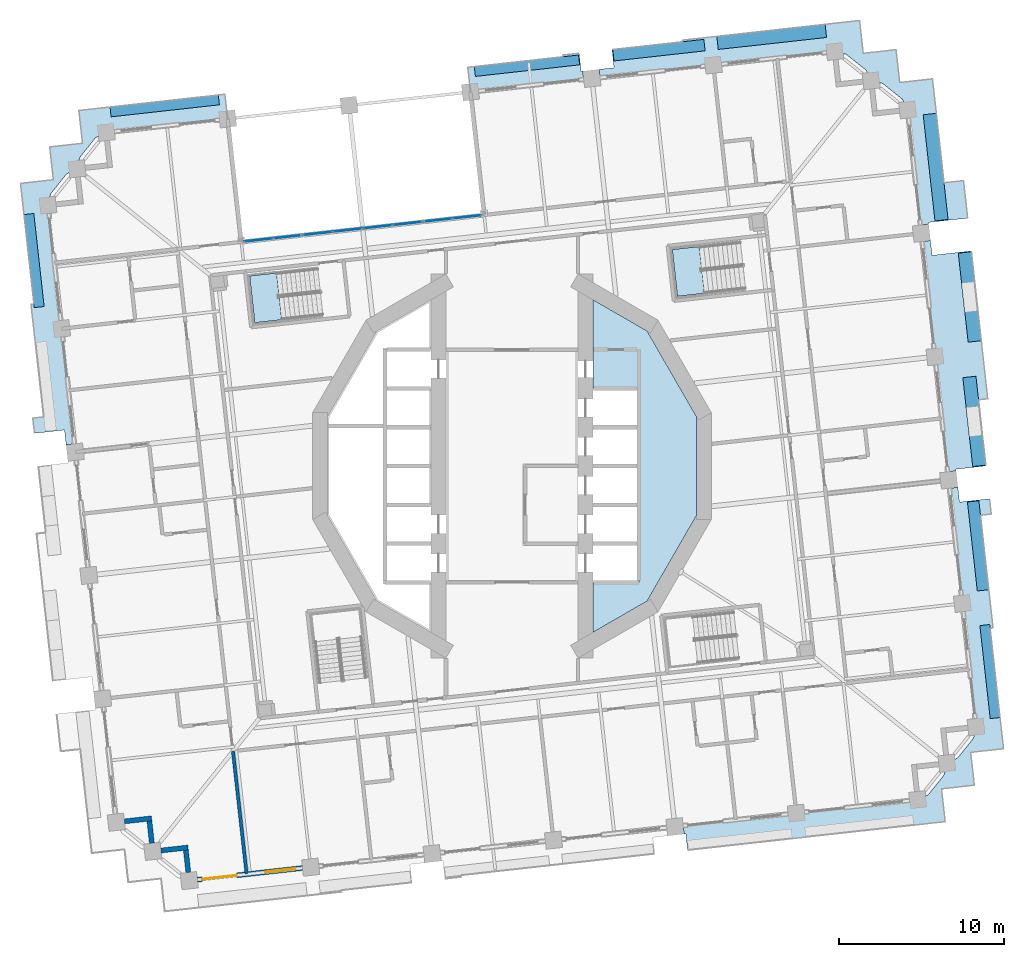
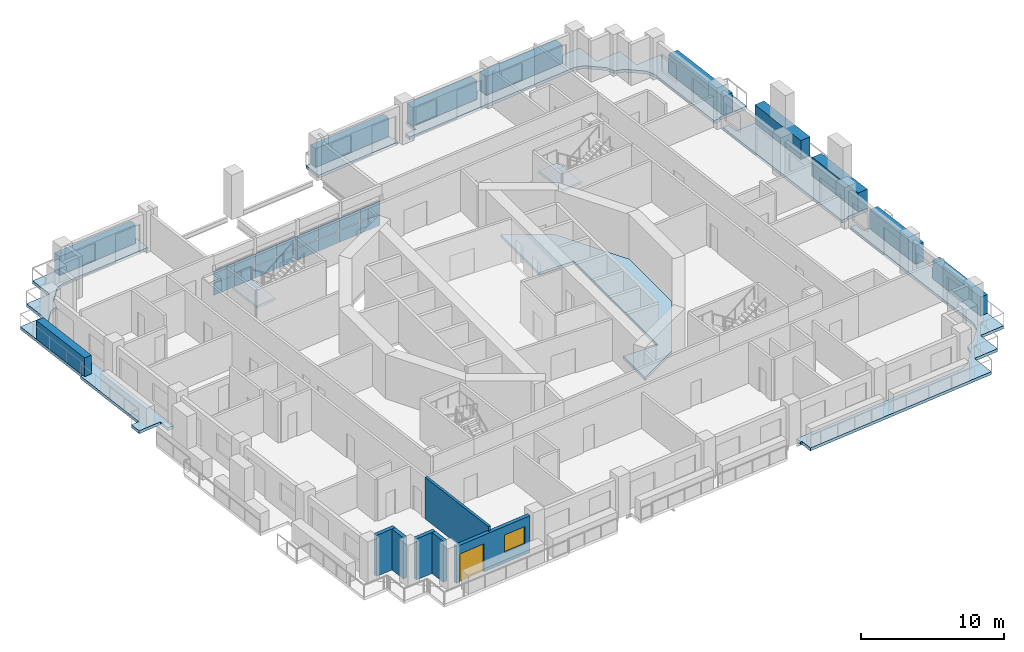
# One storey, part 6 of 21: 26 plates, 8 slabs, 6 walls, 1 door, 1 window, 2 openings, 3 elements without a shape of their own.
"""IFC4 building model written with IfcOpenShell, lengths in metres."""

from ifc_helpers import new_model, si_unit, direction, frame, frame_2d, origin, origin_2d, place, context, subcontext, project, spatial, polyline, rectangle, outline, extrude, material, layer, layer_set, type_object, element, fill, aggregate, save


model = new_model("IFC4")

# Units and contexts
model_context = context("Model", 3, precision=1e-05, world=origin(), true_north=direction((0.0, 1.0)))
body_context = subcontext(model_context, "Body", "Model", "MODEL_VIEW")
ifc_project = project(units=[si_unit("LENGTHUNIT", "METRE"), si_unit("AREAUNIT", "SQUARE_METRE"), si_unit("VOLUMEUNIT", "CUBIC_METRE"), si_unit("PLANEANGLEUNIT", "RADIAN"), si_unit("MASSUNIT", "GRAM", prefix="KILO")], contexts=[model_context])

# Site, building, storey
site_placement = place(None, origin())
site = spatial("IfcSite", under=ifc_project, at=site_placement, CompositionType="ELEMENT")
building_placement = place(site_placement, origin())
building = spatial("IfcBuilding", under=site, at=building_placement, Name="Cantera Rosa Tower", CompositionType="ELEMENT")
storey_placement = place(building_placement, frame((0.0, 0.0, 61.5)))
storey = spatial("IfcBuildingStorey", under=building, at=storey_placement, Name="L12", CompositionType="ELEMENT", Elevation=61.5)

# Slab
ifc_material_1 = material(Name="Concrete C35/45", Category="concrete")
ifc_layer_1 = layer(ifc_material_1, 0.25)
ifc_layer_set_1 = layer_set([ifc_layer_1], Name="COMPOSITE FLOOR SLAB 250 C35/45")
slab_type_1 = type_object("IfcSlabType", Name="COMPOSITE FLOOR SLAB 250 C35/45", PredefinedType="FLOOR", material=ifc_layer_set_1)
slab_1_placement = place(storey_placement, frame((0.0, 0.0, -0.25)))
element("IfcSlab", 1, at=slab_1_placement, inside=storey, type_object=slab_type_1, Name="SLAB L12 floor 3", PredefinedType="FLOOR", context=body_context, shape_type="SweptSolid", body=[
    extrude(outline(polyline([(7.699951171875, 0.0), (7.699951171875, 2.35009765625), (7.699951171875, 4.699951171875), (4.89990234375, 4.699951171875), (4.89990234375, 10.07373046875), (8.179931640625, 8.179931640625), (11.174072265625, 2.994140625), (11.174072265625, -2.994140625), (8.179931640625, -8.179931640625), (4.89990234375, -10.07373046875), (4.89990234375, -7.050048828125), (7.699951171875, -7.050048828125), (7.699951171875, -4.699951171875), (7.699951171875, -2.35009765625), (7.699951171875, 0.0)])), origin(), (0.0, 0.0, 1.0), 0.25),
])

# Curtain wall, plates
ifc_material_2 = material(Name="Aluminium frame with clear glass", Category="aluminium")
curtain_wall_type = type_object("IfcCurtainWallType", Name="CW1 TERRACE POCKET GLAZING", PredefinedType="NOTDEFINED", material=ifc_material_2)
curtain_wall_placement = place(storey_placement, origin())
curtain_wall = element("IfcCurtainWall", 2, at=curtain_wall_placement, inside=storey, type_object=curtain_wall_type, Name="CW1 CW1", PredefinedType="NOTDEFINED")
ifc_material_3 = material(Name="Aluminium frame with clear glass", Category="aluminium")
ifc_layer_2 = layer(ifc_material_3, 0.028076171875)
ifc_layer_set_2 = layer_set([ifc_layer_2], Name="CW-PANEL POCKET")
plate_type_1 = type_object("IfcPlateType", Name="CW-PANEL POCKET", PredefinedType="CURTAIN_PANEL", material=ifc_layer_set_2)
plate_1_placement = place(storey_placement, frame((-2.730712890625, 15.0908203125, 0.06005859375), z_axis=(0.0, 0.0, 1.0), x_axis=(-0.993896946413, -0.110312555543, 0.0)))
plate_1 = element("IfcPlate", 3, at=plate_1_placement, type_object=plate_type_1, Name="CW1 panel 1.1", PredefinedType="CURTAIN_PANEL", context=body_context, shape_type="SweptSolid", body=[
    extrude(rectangle(XDim=1.728759765625, YDim=0.028076171875, at=origin_2d()), origin(), (0.0, 0.0, 1.0), 1.0029296875),
])
plate_2_placement = place(storey_placement, frame((-2.730712890625, 15.0908203125, 1.123046875), z_axis=(0.0, 0.0, 1.0), x_axis=(-0.993896946413, -0.110312555543, 0.0)))
plate_2 = element("IfcPlate", 4, at=plate_2_placement, type_object=plate_type_1, Name="CW1 panel 1.2", PredefinedType="CURTAIN_PANEL", context=body_context, shape_type="SweptSolid", body=[
    extrude(rectangle(XDim=1.728759765625, YDim=0.028076171875, at=origin_2d()), origin(), (0.0, 0.0, 1.0), 1.0029296875),
])
plate_3_placement = place(storey_placement, frame((-4.5234375, 14.891845703125, 0.06005859375), z_axis=(0.0, 0.0, 1.0), x_axis=(-0.993896946413, -0.110312555543, 0.0)))
plate_3 = element("IfcPlate", 5, at=plate_3_placement, type_object=plate_type_1, Name="CW1 panel 2.1", PredefinedType="CURTAIN_PANEL", context=body_context, shape_type="SweptSolid", body=[
    extrude(rectangle(XDim=1.7587890625, YDim=0.028076171875, at=origin_2d()), origin(), (0.0, 0.0, 1.0), 1.0029296875),
])
plate_4_placement = place(storey_placement, frame((-4.5234375, 14.891845703125, 1.123046875), z_axis=(0.0, 0.0, 1.0), x_axis=(-0.993896946413, -0.110312555543, 0.0)))
plate_4 = element("IfcPlate", 6, at=plate_4_placement, type_object=plate_type_1, Name="CW1 panel 2.2", PredefinedType="CURTAIN_PANEL", context=body_context, shape_type="SweptSolid", body=[
    extrude(rectangle(XDim=1.7587890625, YDim=0.028076171875, at=origin_2d()), origin(), (0.0, 0.0, 1.0), 1.0029296875),
])
plate_5_placement = place(storey_placement, frame((-6.3310546875, 14.691162109375, 0.06005859375), z_axis=(0.0, 0.0, 1.0), x_axis=(-0.993896946413, -0.110312555543, 0.0)))
plate_5 = element("IfcPlate", 7, at=plate_5_placement, type_object=plate_type_1, Name="CW1 panel 3.1", PredefinedType="CURTAIN_PANEL", context=body_context, shape_type="SweptSolid", body=[
    extrude(rectangle(XDim=1.7587890625, YDim=0.028076171875, at=origin_2d()), origin(), (0.0, 0.0, 1.0), 1.0029296875),
])
plate_6_placement = place(storey_placement, frame((-6.3310546875, 14.691162109375, 1.123046875), z_axis=(0.0, 0.0, 1.0), x_axis=(-0.993896946413, -0.110312555543, 0.0)))
plate_6 = element("IfcPlate", 8, at=plate_6_placement, type_object=plate_type_1, Name="CW1 panel 3.2", PredefinedType="CURTAIN_PANEL", context=body_context, shape_type="SweptSolid", body=[
    extrude(rectangle(XDim=1.7587890625, YDim=0.028076171875, at=origin_2d()), origin(), (0.0, 0.0, 1.0), 1.0029296875),
])
plate_7_placement = place(storey_placement, frame((-8.138916015625, 14.49072265625, 0.06005859375), z_axis=(0.0, 0.0, 1.0), x_axis=(-0.993896946413, -0.110312555543, 0.0)))
plate_7 = element("IfcPlate", 9, at=plate_7_placement, type_object=plate_type_1, Name="CW1 panel 4.1", PredefinedType="CURTAIN_PANEL", context=body_context, shape_type="SweptSolid", body=[
    extrude(rectangle(XDim=1.7587890625, YDim=0.028076171875, at=origin_2d()), origin(), (0.0, 0.0, 1.0), 1.0029296875),
])
plate_8_placement = place(storey_placement, frame((-8.138916015625, 14.49072265625, 1.123046875), z_axis=(0.0, 0.0, 1.0), x_axis=(-0.993896946413, -0.110312555543, 0.0)))
plate_8 = element("IfcPlate", 10, at=plate_8_placement, type_object=plate_type_1, Name="CW1 panel 4.2", PredefinedType="CURTAIN_PANEL", context=body_context, shape_type="SweptSolid", body=[
    extrude(rectangle(XDim=1.7587890625, YDim=0.028076171875, at=origin_2d()), origin(), (0.0, 0.0, 1.0), 1.0029296875),
])
plate_9_placement = place(storey_placement, frame((-9.946533203125, 14.2900390625, 0.06005859375), z_axis=(0.0, 0.0, 1.0), x_axis=(-0.993896946413, -0.110312555543, 0.0)))
plate_9 = element("IfcPlate", 11, at=plate_9_placement, type_object=plate_type_1, Name="CW1 panel 5.1", PredefinedType="CURTAIN_PANEL", context=body_context, shape_type="SweptSolid", body=[
    extrude(rectangle(XDim=1.7587890625, YDim=0.028076171875, at=origin_2d()), origin(), (0.0, 0.0, 1.0), 1.0029296875),
])
plate_10_placement = place(storey_placement, frame((-9.946533203125, 14.2900390625, 1.123046875), z_axis=(0.0, 0.0, 1.0), x_axis=(-0.993896946413, -0.110312555543, 0.0)))
plate_10 = element("IfcPlate", 12, at=plate_10_placement, type_object=plate_type_1, Name="CW1 panel 5.2", PredefinedType="CURTAIN_PANEL", context=body_context, shape_type="SweptSolid", body=[
    extrude(rectangle(XDim=1.7587890625, YDim=0.028076171875, at=origin_2d()), origin(), (0.0, 0.0, 1.0), 1.0029296875),
])
plate_11_placement = place(storey_placement, frame((-11.754150390625, 14.08935546875, 0.06005859375), z_axis=(0.0, 0.0, 1.0), x_axis=(-0.993896946413, -0.110312555543, 0.0)))
plate_11 = element("IfcPlate", 13, at=plate_11_placement, type_object=plate_type_1, Name="CW1 panel 6.1", PredefinedType="CURTAIN_PANEL", context=body_context, shape_type="SweptSolid", body=[
    extrude(rectangle(XDim=1.7587890625, YDim=0.028076171875, at=origin_2d()), origin(), (0.0, 0.0, 1.0), 1.0029296875),
])
plate_12_placement = place(storey_placement, frame((-11.754150390625, 14.08935546875, 1.123046875), z_axis=(0.0, 0.0, 1.0), x_axis=(-0.993896946413, -0.110312555543, 0.0)))
plate_12 = element("IfcPlate", 14, at=plate_12_placement, type_object=plate_type_1, Name="CW1 panel 6.2", PredefinedType="CURTAIN_PANEL", context=body_context, shape_type="SweptSolid", body=[
    extrude(rectangle(XDim=1.7587890625, YDim=0.028076171875, at=origin_2d()), origin(), (0.0, 0.0, 1.0), 1.0029296875),
])
plate_13_placement = place(storey_placement, frame((-13.561767578125, 13.888671875, 0.06005859375), z_axis=(0.0, 0.0, 1.0), x_axis=(-0.993896946413, -0.110312555543, 0.0)))
plate_13 = element("IfcPlate", 15, at=plate_13_placement, type_object=plate_type_1, Name="CW1 panel 7.1", PredefinedType="CURTAIN_PANEL", context=body_context, shape_type="SweptSolid", body=[
    extrude(rectangle(XDim=1.7587890625, YDim=0.028076171875, at=origin_2d()), origin(), (0.0, 0.0, 1.0), 1.0029296875),
])
plate_14_placement = place(storey_placement, frame((-13.561767578125, 13.888671875, 1.123046875), z_axis=(0.0, 0.0, 1.0), x_axis=(-0.993896946413, -0.110312555543, 0.0)))
plate_14 = element("IfcPlate", 16, at=plate_14_placement, type_object=plate_type_1, Name="CW1 panel 7.2", PredefinedType="CURTAIN_PANEL", context=body_context, shape_type="SweptSolid", body=[
    extrude(rectangle(XDim=1.7587890625, YDim=0.028076171875, at=origin_2d()), origin(), (0.0, 0.0, 1.0), 1.0029296875),
])
plate_15_placement = place(storey_placement, frame((-15.3544921875, 13.689697265625, 0.06005859375), z_axis=(0.0, 0.0, 1.0), x_axis=(-0.993896946413, -0.110312555543, 0.0)))
plate_15 = element("IfcPlate", 17, at=plate_15_placement, type_object=plate_type_1, Name="CW1 panel 8.1", PredefinedType="CURTAIN_PANEL", context=body_context, shape_type="SweptSolid", body=[
    extrude(rectangle(XDim=1.728759765625, YDim=0.028076171875, at=origin_2d()), origin(), (0.0, 0.0, 1.0), 1.0029296875),
])
plate_16_placement = place(storey_placement, frame((-15.3544921875, 13.689697265625, 1.123046875), z_axis=(0.0, 0.0, 1.0), x_axis=(-0.993896946413, -0.110312555543, 0.0)))
plate_16 = element("IfcPlate", 18, at=plate_16_placement, type_object=plate_type_1, Name="CW1 panel 8.2", PredefinedType="CURTAIN_PANEL", context=body_context, shape_type="SweptSolid", body=[
    extrude(rectangle(XDim=1.728759765625, YDim=0.028076171875, at=origin_2d()), origin(), (0.0, 0.0, 1.0), 1.0029296875),
])
aggregate(curtain_wall, [plate_1, plate_2, plate_3, plate_4, plate_5, plate_6, plate_7, plate_8, plate_9, plate_10, plate_11, plate_12, plate_13, plate_14, plate_15, plate_16])

# Slabs
ifc_material_4 = material(Name="Concrete C35/45", Category="concrete")
ifc_layer_3 = layer(ifc_material_4, 0.25)
ifc_layer_set_3 = layer_set([ifc_layer_3], Name="LOGGIA SLAB 250 C35/45")
slab_type_2 = type_object("IfcSlabType", Name="LOGGIA SLAB 250 C35/45", PredefinedType="FLOOR", material=ifc_layer_set_3)
slab_2_placement = place(storey_placement, frame((0.0, 0.0, -0.25)))
element("IfcSlab", 19, at=slab_2_placement, inside=storey, type_object=slab_type_2, Name="LOGGIA SLAB L12 2", PredefinedType="FLOOR", context=body_context, shape_type="SweptSolid", body=[
    extrude(outline(polyline([(-29.134765625, 9.801513671875), (-28.960205078125, 9.821044921875), (-29.604736328125, 15.629638671875), (-29.770263671875, 17.12060546875), (-28.279296875, 17.285888671875), (-27.782470703125, 17.341064453125), (-27.837646484375, 17.837890625), (-28.003173828125, 19.328857421875), (-26.51220703125, 19.494384765625), (-26.015380859375, 19.549560546875), (-26.070556640625, 20.04638671875), (-26.236083984375, 21.537353515625), (-24.7451171875, 21.702880859375), (-18.881103515625, 22.353515625), (-17.390380859375, 22.51904296875), (-17.224853515625, 21.0283203125), (-24.57958984375, 20.2119140625), (-25.166015625, 19.922607421875), (-25.191162109375, 19.9072265625), (-25.214599609375, 19.889404296875), (-25.236083984375, 19.869384765625), (-25.255615234375, 19.84716796875), (-26.139404296875, 18.742919921875), (-26.156494140625, 18.71923828125), (-26.17138671875, 18.693603515625), (-26.18359375, 18.6669921875), (-26.193115234375, 18.63916015625), (-26.3466796875, 18.00341796875), (-26.933349609375, 17.714111328125), (-26.958251953125, 17.69873046875), (-26.981689453125, 17.680908203125), (-27.00341796875, 17.660888671875), (-27.022705078125, 17.638916015625), (-27.906494140625, 16.53466796875), (-27.923583984375, 16.5107421875), (-27.9384765625, 16.4853515625), (-27.95068359375, 16.45849609375), (-27.960205078125, 16.4306640625), (-28.114013671875, 15.795166015625), (-26.510009765625, 1.34375), (-27.007080078125, 1.288818359375), (-27.106201171875, 2.18310546875), (-28.926025390625, 1.981201171875), (-29.02880859375, 2.906494140625), (-28.37744140625, 2.978759765625), (-29.134765625, 9.801513671875)])), origin(), (0.0, 0.0, 1.0), 0.25),
])
slab_3_placement = place(storey_placement, frame((0.0, 0.0, -0.25)))
element("IfcSlab", 20, at=slab_3_placement, inside=storey, type_object=slab_type_2, Name="LOGGIA SLAB L12 4", PredefinedType="FLOOR", context=body_context, shape_type="SweptSolid", body=[
    extrude(outline(polyline([(3.080078125, 24.791015625), (3.068603515625, 24.894287109375), (4.06640625, 25.005126953125), (4.188232421875, 23.907958984375), (4.28759765625, 23.9189453125), (4.3427734375, 23.422119140625), (-2.51513671875, 22.660888671875), (-2.6806640625, 24.151611328125), (-1.189697265625, 24.317138671875), (3.080078125, 24.791015625)])), origin(), (0.0, 0.0, 1.0), 0.25),
])
slab_4_placement = place(storey_placement, frame((0.0, 0.0, -0.25)))
element("IfcSlab", 21, at=slab_4_placement, inside=storey, type_object=slab_type_2, Name="LOGGIA SLAB L12 6", PredefinedType="FLOOR", context=body_context, shape_type="SweptSolid", body=[
    extrude(outline(polyline([(19.36181640625, 26.79931640625), (21.051513671875, 26.98681640625), (21.239013671875, 25.29736328125), (21.272216796875, 24.999267578125), (21.5703125, 25.0322265625), (23.260009765625, 25.2197265625), (23.447509765625, 23.5302734375), (23.48046875, 23.23193359375), (23.77880859375, 23.26513671875), (25.46826171875, 23.45263671875), (25.65576171875, 21.762939453125), (26.1669921875, 17.15869140625), (27.34716796875, 17.289794921875), (27.599609375, 15.01611328125), (25.2265625, 14.752685546875), (25.237548828125, 14.653564453125), (24.740478515625, 14.598388671875), (23.96630859375, 21.575439453125), (23.677001953125, 22.161865234375), (23.66162109375, 22.18701171875), (23.643798828125, 22.21044921875), (23.62353515625, 22.23193359375), (23.6015625, 22.25146484375), (22.497314453125, 23.135009765625), (22.473388671875, 23.15234375), (22.447998046875, 23.1669921875), (22.42138671875, 23.179443359375), (22.393310546875, 23.18896484375), (21.7578125, 23.342529296875), (21.468505859375, 23.92919921875), (21.453125, 23.9541015625), (21.435302734375, 23.9775390625), (21.415283203125, 23.999267578125), (21.39306640625, 24.018798828125), (20.288818359375, 24.902099609375), (20.26513671875, 24.91943359375), (20.239501953125, 24.934326171875), (20.212890625, 24.946533203125), (20.18505859375, 24.9560546875), (19.54931640625, 25.10986328125), (18.642578125, 25.00927734375), (5.336669921875, 23.5322265625), (5.281494140625, 24.029296875), (6.176025390625, 24.12841796875), (6.05419921875, 25.2255859375), (10.327880859375, 25.699951171875), (10.3173828125, 25.795654296875), (19.36181640625, 26.79931640625)])), origin(), (0.0, 0.0, 1.0), 0.25),
])
slab_5_placement = place(storey_placement, frame((0.0, 0.0, -0.25)))
element("IfcSlab", 22, at=slab_5_placement, inside=storey, type_object=slab_type_2, Name="LOGGIA SLAB L12 7", PredefinedType="FLOOR", context=body_context, shape_type="SweptSolid", body=[
    extrude(outline(polyline([(29.134765625, -9.801513671875), (28.960205078125, -9.821044921875), (29.604736328125, -15.629638671875), (29.770263671875, -17.12060546875), (28.279296875, -17.285888671875), (27.782470703125, -17.341064453125), (27.837646484375, -17.837890625), (28.003173828125, -19.328857421875), (26.51220703125, -19.494384765625), (26.015380859375, -19.549560546875), (26.070556640625, -20.04638671875), (26.236083984375, -21.537353515625), (24.7451171875, -21.702880859375), (18.881103515625, -22.353515625), (15.8994140625, -22.6845703125), (11.5263671875, -23.169921875), (10.6318359375, -23.269287109375), (10.521484375, -22.275390625), (10.422119140625, -22.286376953125), (10.366943359375, -21.789306640625), (24.57958984375, -20.2119140625), (25.166015625, -19.922607421875), (25.191162109375, -19.9072265625), (25.214599609375, -19.889404296875), (25.236083984375, -19.869384765625), (25.255615234375, -19.84716796875), (26.139404296875, -18.742919921875), (26.156494140625, -18.71923828125), (26.17138671875, -18.693603515625), (26.18359375, -18.6669921875), (26.193115234375, -18.63916015625), (26.3466796875, -18.00341796875), (26.933349609375, -17.714111328125), (26.958251953125, -17.69873046875), (26.981689453125, -17.680908203125), (27.00341796875, -17.660888671875), (27.022705078125, -17.638916015625), (27.906494140625, -16.53466796875), (27.923583984375, -16.5107421875), (27.9384765625, -16.4853515625), (27.95068359375, -16.45849609375), (27.960205078125, -16.4306640625), (28.114013671875, -15.795166015625), (26.510009765625, -1.34375), (27.007080078125, -1.288818359375), (27.106201171875, -2.18310546875), (28.926025390625, -1.981201171875), (29.02880859375, -2.906494140625), (28.37744140625, -2.978759765625), (29.134765625, -9.801513671875)])), origin(), (0.0, 0.0, 1.0), 0.25),
])
slab_6_placement = place(storey_placement, frame((0.0, 0.0, -0.25)))
element("IfcSlab", 23, at=slab_6_placement, inside=storey, type_object=slab_type_2, Name="LOGGIA SLAB L12 8", PredefinedType="FLOOR", context=body_context, shape_type="SweptSolid", body=[
    extrude(outline(polyline([(28.705322265625, 0.006591796875), (26.885498046875, -0.1953125), (26.896728515625, -0.294921875), (26.399658203125, -0.349853515625), (24.850830078125, 13.6044921875), (25.347900390625, 13.65966796875), (25.447265625, 12.764892578125), (27.8203125, 13.0283203125), (28.813720703125, 4.07568359375), (28.260498046875, 4.014404296875), (28.705322265625, 0.006591796875)])), origin(), (0.0, 0.0, 1.0), 0.25),
])

# Plates
ifc_material_5 = material(Name="Cantera stone planter with soil", Category="masonry")
plate_type_2 = type_object("IfcPlateType", Name="PLANTER 600", PredefinedType="USERDEFINED", material=ifc_material_5)
plate_17_placement = place(storey_placement, frame((28.94970703125, -12.447509765625, 0.0), z_axis=(0.0, 0.0, 1.0), x_axis=(-0.110312555526, 0.993896946415, 0.0)))
element("IfcPlate", 24, at=plate_17_placement, inside=storey, type_object=plate_type_2, Name="PLANTER L12-01", ObjectType="PLANTER", PredefinedType="USERDEFINED", context=body_context, shape_type="SweptSolid", body=[
    extrude(rectangle(XDim=5.669921875, YDim=0.60009765625, at=origin_2d()), origin(), (0.0, 0.0, 1.0), 1.60009765625),
])
plate_18_placement = place(storey_placement, frame((0.90576171875, 24.247802734375, 0.0), z_axis=(0.0, 0.0, 1.0), x_axis=(-0.993896946415, -0.110312555526, 0.0)))
element("IfcPlate", 25, at=plate_18_placement, inside=storey, type_object=plate_type_2, Name="PLANTER L12-08", ObjectType="PLANTER", PredefinedType="USERDEFINED", context=body_context, shape_type="SweptSolid", body=[
    extrude(rectangle(XDim=6.35009765625, YDim=0.60009765625, at=origin_2d()), origin(), (0.0, 0.0, 1.0), 1.60009765625),
])
plate_19_placement = place(storey_placement, frame((-21.03466796875, 21.812744140625, 0.0), z_axis=(0.0, 0.0, 1.0), x_axis=(-0.993896946415, -0.110312555526, 0.0)))
element("IfcPlate", 26, at=plate_19_placement, inside=storey, type_object=plate_type_2, Name="PLANTER L12-11", ObjectType="PLANTER", PredefinedType="USERDEFINED", context=body_context, shape_type="SweptSolid", body=[
    extrude(rectangle(XDim=6.60009765625, YDim=0.60009765625, at=origin_2d()), origin(), (0.0, 0.0, 1.0), 1.60009765625),
])
plate_20_placement = place(storey_placement, frame((-28.94970703125, 12.447509765625, 0.0), z_axis=(0.0, 0.0, 1.0), x_axis=(0.110312555526, -0.993896946415, 0.0)))
element("IfcPlate", 27, at=plate_20_placement, inside=storey, type_object=plate_type_2, Name="PLANTER L12-12", ObjectType="PLANTER", PredefinedType="USERDEFINED", context=body_context, shape_type="SweptSolid", body=[
    extrude(rectangle(XDim=5.669921875, YDim=0.60009765625, at=origin_2d()), origin(), (0.0, 0.0, 1.0), 1.60009765625),
])
ifc_material_6 = material(Name="Cantera stone planter with soil", Category="masonry")
plate_type_3 = type_object("IfcPlateType", Name="PLANTER 700", PredefinedType="USERDEFINED", material=ifc_material_6)
plate_21_placement = place(storey_placement, frame((28.2314453125, -4.835205078125, 0.0), z_axis=(0.0, 0.0, 1.0), x_axis=(-0.110312555526, 0.993896946415, 0.0)))
element("IfcPlate", 28, at=plate_21_placement, inside=storey, type_object=plate_type_3, Name="PLANTER L12-02", ObjectType="PLANTER", PredefinedType="USERDEFINED", context=body_context, shape_type="SweptSolid", body=[
    extrude(rectangle(XDim=5.419921875, YDim=0.699951171875, at=origin_2d()), origin(), (0.0, 0.0, 1.0), 1.60009765625),
])
plate_22_placement = place(storey_placement, frame((8.900634765625, 25.189453125, 0.0), z_axis=(0.0, 0.0, 1.0), x_axis=(-0.993896946415, -0.110312555526, 0.0)))
element("IfcPlate", 29, at=plate_22_placement, inside=storey, type_object=plate_type_3, Name="PLANTER L12-07", ObjectType="PLANTER", PredefinedType="USERDEFINED", context=body_context, shape_type="SweptSolid", body=[
    extrude(rectangle(XDim=5.550048828125, YDim=0.699951171875, at=origin_2d()), origin(), (0.0, 0.0, 1.0), 1.60009765625),
])
ifc_material_7 = material(Name="Cantera stone planter with soil", Category="masonry")
plate_type_4 = type_object("IfcPlateType", Name="PLANTER 800", PredefinedType="USERDEFINED", material=ifc_material_7)
for number, where, z_axis, x_axis, name in (
    (30, (28.00341796875, 2.70556640625, 0.0), (0.0, 0.0, 1.0), (-0.110312555526, 0.993896946415, 0.0), "PLANTER L12-03"),
    (31, (27.72705078125, 10.2412109375, 0.0), (0.0, 0.0, 1.0), (-0.110312555526, 0.993896946415, 0.0), "PLANTER L12-04"),
):
    element("IfcPlate", number, at=place(storey_placement, frame(where, z_axis=z_axis, x_axis=x_axis)), inside=storey, type_object=plate_type_4, Name=name, ObjectType="PLANTER", PredefinedType="USERDEFINED", context=body_context, shape_type="SweptSolid", body=[
        extrude(rectangle(XDim=5.419921875, YDim=0.800048828125, at=origin_2d()), origin(), (0.0, 0.0, 1.0), 1.60009765625),
    ])
plate_23_placement = place(storey_placement, frame((25.6591796875, 18.10595703125, 0.0), z_axis=(0.0, 0.0, 1.0), x_axis=(-0.110312555526, 0.993896946415, 0.0)))
element("IfcPlate", 32, at=plate_23_placement, inside=storey, type_object=plate_type_4, Name="PLANTER L12-05", ObjectType="PLANTER", PredefinedType="USERDEFINED", context=body_context, shape_type="SweptSolid", body=[
    extrude(rectangle(XDim=6.469970703125, YDim=0.800048828125, at=origin_2d()), origin(), (0.0, 0.0, 1.0), 1.60009765625),
])
plate_24_placement = place(storey_placement, frame((15.728515625, 25.99365234375, 0.0), z_axis=(0.0, 0.0, 1.0), x_axis=(-0.993896946415, -0.110312555526, 0.0)))
element("IfcPlate", 33, at=plate_24_placement, inside=storey, type_object=plate_type_4, Name="PLANTER L12-06", ObjectType="PLANTER", PredefinedType="USERDEFINED", context=body_context, shape_type="SweptSolid", body=[
    extrude(rectangle(XDim=6.60009765625, YDim=0.800048828125, at=origin_2d()), origin(), (0.0, 0.0, 1.0), 1.60009765625),
])

# Stair, slab
ifc_material_8 = material(Name="Concrete C35/45", Category="concrete")
stair_type = type_object("IfcStairType", Name="EXIT STAIR 1350 DOGLEG", PredefinedType="HALF_TURN_STAIR", material=ifc_material_8)
stair_1_placement = place(storey_placement, origin())
stair_1 = element("IfcStair", 34, at=stair_1_placement, inside=storey, type_object=stair_type, Name="L12 ST-11", PredefinedType="HALF_TURN_STAIR")
ifc_material_9 = material(Name="Concrete C35/45", Category="concrete")
ifc_layer_4 = layer(ifc_material_9, 0.199951171875)
ifc_layer_set_4 = layer_set([ifc_layer_4], Name="STAIR LANDING 200")
slab_type_3 = type_object("IfcSlabType", Name="STAIR LANDING 200", PredefinedType="LANDING", material=ifc_layer_set_4)
slab_7_placement = place(storey_placement, frame((0.0, 0.0, 1.699951171875)))
slab_7 = element("IfcSlab", 35, at=slab_7_placement, type_object=slab_type_3, Name="ST-11 landing 1", PredefinedType="LANDING", context=body_context, shape_type="SweptSolid", body=[
    extrude(outline(polyline([(11.341552734375, 13.294189453125), (9.70947265625, 13.113037109375), (10.02392578125, 10.2802734375), (11.656005859375, 10.46142578125), (11.341552734375, 13.294189453125)])), origin(), (0.0, 0.0, 1.0), 0.199951171875),
])
aggregate(stair_1, [slab_7])

stair_2_placement = place(storey_placement, origin())
stair_2 = element("IfcStair", 36, at=stair_2_placement, inside=storey, type_object=stair_type, Name="L12 ST-12", PredefinedType="HALF_TURN_STAIR")
slab_8_placement = place(storey_placement, frame((0.0, 0.0, 1.699951171875)))
slab_8 = element("IfcSlab", 37, at=slab_8_placement, type_object=slab_type_3, Name="ST-12 landing 1", PredefinedType="LANDING", context=body_context, shape_type="SweptSolid", body=[
    extrude(outline(polyline([(-14.258544921875, 11.694091796875), (-15.890380859375, 11.512939453125), (-15.575927734375, 8.680419921875), (-13.944091796875, 8.861572265625), (-14.258544921875, 11.694091796875)])), origin(), (0.0, 0.0, 1.0), 0.199951171875),
])
aggregate(stair_2, [slab_8])

# Walls
ifc_material_10 = material(Name="Hollow clay masonry with cantera stone cladding", Category="masonry")
ifc_layer_5 = layer(ifc_material_10, 0.300048828125)
ifc_layer_set_5 = layer_set([ifc_layer_5], Name="EW-LOGGIA 300")
wall_type_1 = type_object("IfcWallType", Name="EW-LOGGIA 300", PredefinedType="SOLIDWALL", material=ifc_layer_set_5)
wall_1_placement = place(storey_placement, frame((-23.46923828125, -21.520263671875, 0.0), z_axis=(0.0, 0.0, 1.0), x_axis=(0.993905369514, 0.110236638423, 0.0)))
element("IfcWall", 38, at=wall_1_placement, inside=storey, type_object=wall_type_1, Name="EN-L12-W21a", PredefinedType="SOLIDWALL", context=body_context, shape_type="SweptSolid", body=[
    extrude(rectangle(XDim=1.64990234375, YDim=0.300048828125, at=frame_2d((0.824951171875, 0.0))), origin(), (0.0, 0.0, 1.0), 3.5),
])
wall_2_placement = place(storey_placement, frame((-21.9619140625, -21.50390625, 0.0), z_axis=(0.0, 0.0, 1.0), x_axis=(0.110312435488, -0.993896959738, 0.0)))
element("IfcWall", 39, at=wall_2_placement, inside=storey, type_object=wall_type_1, Name="EN-L12-W21b", PredefinedType="SOLIDWALL", context=body_context, shape_type="SweptSolid", body=[
    extrude(rectangle(XDim=1.35009765625, YDim=0.300048828125, at=frame_2d((0.675048828125, 0.0))), origin(), (0.0, 0.0, 1.0), 3.5),
])
wall_3_placement = place(storey_placement, frame((-21.2607421875, -23.287353515625, 0.0), z_axis=(0.0, 0.0, 1.0), x_axis=(0.993905369514, 0.110236638423, 0.0)))
element("IfcWall", 40, at=wall_3_placement, inside=storey, type_object=wall_type_1, Name="EN-L12-W22a", PredefinedType="SOLIDWALL", context=body_context, shape_type="SweptSolid", body=[
    extrude(rectangle(XDim=1.64990234375, YDim=0.300048828125, at=frame_2d((0.824951171875, 0.0))), origin(), (0.0, 0.0, 1.0), 3.5),
])
wall_4_placement = place(storey_placement, frame((-19.75341796875, -23.27099609375, 0.0), z_axis=(0.0, 0.0, 1.0), x_axis=(0.110312435488, -0.993896959738, 0.0)))
element("IfcWall", 41, at=wall_4_placement, inside=storey, type_object=wall_type_1, Name="EN-L12-W22b", PredefinedType="SOLIDWALL", context=body_context, shape_type="SweptSolid", body=[
    extrude(rectangle(XDim=1.35009765625, YDim=0.300048828125, at=frame_2d((0.675048828125, 0.0))), origin(), (0.0, 0.0, 1.0), 3.5),
])

# Wall, openings, window, door
ifc_material_11 = material(Name="Hollow clay masonry with cantera stone cladding", Category="masonry")
ifc_layer_6 = layer(ifc_material_11, 0.300048828125)
ifc_layer_set_6 = layer_set([ifc_layer_6], Name="EW-LOGGIA 300 H3140")
wall_type_2 = type_object("IfcWallType", Name="EW-LOGGIA 300 H3140", PredefinedType="SOLIDWALL", material=ifc_layer_set_6)
wall_5_placement = place(storey_placement, frame((-19.052490234375, -25.0546875, 0.0), z_axis=(0.0, 0.0, 1.0), x_axis=(0.993896288542, 0.110318482689, 0.0)))
wall_5 = element("IfcWall", 42, at=wall_5_placement, inside=storey, type_object=wall_type_2, Name="EN-L12-W23", PredefinedType="SOLIDWALL", context=body_context, shape_type="SweptSolid", body=[
    extrude(rectangle(XDim=6.400146484375, YDim=0.300048828125, at=frame_2d((3.2001953125, 0.0))), origin(), (0.0, 0.0, 1.0), 3.139892578125),
])
opening_1_placement = place(wall_5_placement, frame((0.300048828125, 0.0, 0.0)))
opening_1 = element("IfcOpeningElement", 43, at=opening_1_placement, cuts=wall_5, Name="Opening L12-TD29", PredefinedType="OPENING", context=body_context, shape_type="SweptSolid", body=[
    extrude(rectangle(XDim=2.10009765625, YDim=2.39990234375, at=frame_2d((1.050048828125, 1.199951171875))), frame((0.0, 0.159912109375, 0.0), z_axis=(0.0, -1.0, 0.0), x_axis=(1.0, 0.0, 0.0)), (0.0, 0.0, 1.0), 0.320068359375),
])
opening_2_placement = place(wall_5_placement, frame((4.14990234375, 0.0, 0.89990234375)))
opening_2 = element("IfcOpeningElement", 44, at=opening_2_placement, cuts=wall_5, Name="Opening L12-W30", PredefinedType="OPENING", context=body_context, shape_type="SweptSolid", body=[
    extrude(rectangle(XDim=1.800048828125, YDim=1.5, at=frame_2d((0.89990234375, 0.75))), frame((0.0, 0.159912109375, 0.0), z_axis=(0.0, -1.0, 0.0), x_axis=(1.0, 0.0, 0.0)), (0.0, 0.0, 1.0), 0.320068359375),
])
ifc_material_12 = material(Name="Aluminium frame with clear glass", Category="aluminium")
window_type = type_object("IfcWindowType", Name="Hotel room window 1800x1500", PartitioningType="DOUBLE_PANEL_VERTICAL", PredefinedType="WINDOW", material=ifc_material_12)
window_placement = place(opening_2_placement, origin())
window = element("IfcWindow", 45, at=window_placement, inside=storey, type_object=window_type, Name="WINDOW L12-W30", OverallHeight=1.5, OverallWidth=1.800048828125, PartitioningType="SINGLE_PANEL", PredefinedType="WINDOW", context=body_context, shape_type="SweptSolid", body=[
    extrude(rectangle(XDim=1.800048828125, YDim=1.5, at=frame_2d((0.89990234375, 0.75))), frame((0.0, 0.030029296875, 0.0), z_axis=(0.0, -1.0, 0.0), x_axis=(1.0, 0.0, 0.0)), (0.0, 0.0, 1.0), 0.06005859375),
])
fill(opening_2, window)
ifc_material_13 = material(Name="Aluminium frame with clear glass", Category="aluminium")
door_type = type_object("IfcDoorType", Name="TD-H 2100x2400", OperationType="NOTDEFINED", PredefinedType="DOOR", material=ifc_material_13)
door_placement = place(opening_1_placement, origin())
door = element("IfcDoor", 46, at=door_placement, inside=storey, type_object=door_type, Name="LOGGIA DOOR L12-TD29", OperationType="SLIDING_TO_LEFT", OverallHeight=2.39990234375, OverallWidth=2.10009765625, PredefinedType="DOOR", context=body_context, shape_type="SweptSolid", body=[
    extrude(rectangle(XDim=2.10009765625, YDim=2.39990234375, at=frame_2d((1.050048828125, 1.199951171875))), frame((0.0, 0.02490234375, 0.0), z_axis=(0.0, -1.0, 0.0), x_axis=(1.0, 0.0, 0.0)), (0.0, 0.0, 1.0), 0.050048828125),
])
fill(opening_1, door)

# Wall
ifc_material_14 = material(Name="Gypsum board partition")
ifc_layer_7 = layer(ifc_material_14, 0.199951171875)
ifc_layer_set_7 = layer_set([ifc_layer_7], Name="PARTY WALL 200 H3550")
wall_type_3 = type_object("IfcWallType", Name="PARTY WALL 200 H3550", PredefinedType="PARTITIONING", material=ifc_layer_set_7)
wall_6_placement = place(storey_placement, frame((-16.07421875, -24.69384765625, 0.0), z_axis=(0.0, 0.0, 1.0), x_axis=(-0.110305973679, 0.993897676912, 0.0)))
element("IfcWall", 47, at=wall_6_placement, inside=storey, type_object=wall_type_3, Name="PARTY WALL L12-023", PredefinedType="PARTITIONING", context=body_context, shape_type="SweptSolid", body=[
    extrude(rectangle(XDim=7.469970703125, YDim=0.199951171875, at=frame_2d((3.73486328125, 0.0))), origin(), (0.0, 0.0, 1.0), 3.550048828125),
])

save(model, "model.ifc")
